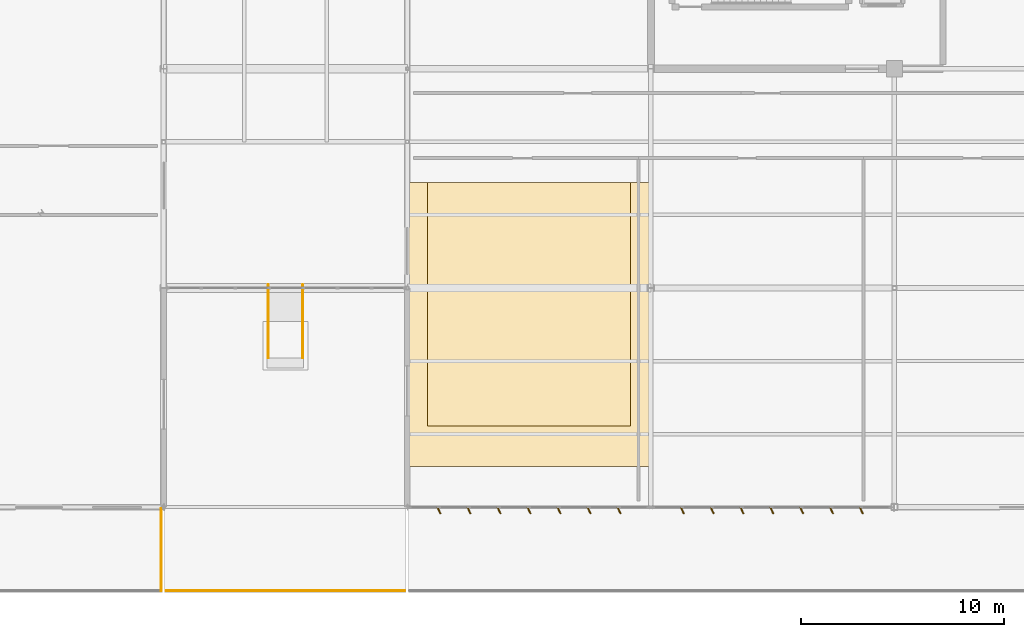
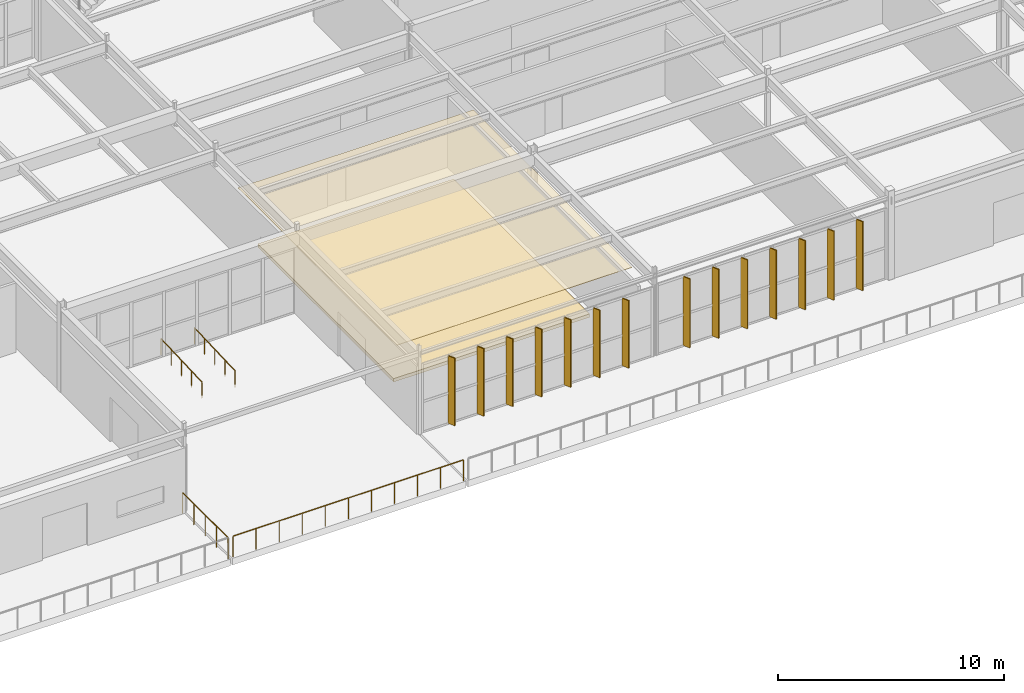
# One storey, part 187 of 199: 14 shading devices, 4 railings, 2 coverings.
"""IFC4 building model written with IfcOpenShell, lengths in metres."""

from ifc_helpers import new_model, si_unit, direction, frame, origin, origin_2d, place, context, subcontext, project, spatial, polyline, rectangle, circle, outline, extrude, material, layer, layer_set, type_object, element, save


model = new_model("IFC4")

# Units and contexts
model_context = context("Model", 3, precision=1e-05, world=origin(), true_north=direction((0.0, 1.0)))
body_context = subcontext(model_context, "Body", "Model", "MODEL_VIEW")
ifc_project = project(units=[si_unit("LENGTHUNIT", "METRE"), si_unit("AREAUNIT", "SQUARE_METRE"), si_unit("VOLUMEUNIT", "CUBIC_METRE"), si_unit("PLANEANGLEUNIT", "RADIAN"), si_unit("MASSUNIT", "GRAM", prefix="KILO")], contexts=[model_context])

# Site, building, storey
site_placement = place(None, origin())
site = spatial("IfcSite", under=ifc_project, at=site_placement, CompositionType="ELEMENT")
building_placement = place(site_placement, origin())
building = spatial("IfcBuilding", under=site, at=building_placement, Name="Tarnwether General Hospital", CompositionType="ELEMENT")
storey_placement = place(building_placement, origin())
storey = spatial("IfcBuildingStorey", under=building, at=storey_placement, Name="L00", CompositionType="ELEMENT", Elevation=0.0)

# Coverings
ifc_material_1 = material(Name="Acoustic mineral fibre tile")
ifc_layer_1 = layer(ifc_material_1, 0.02490234375)
ifc_layer_set_1 = layer_set([ifc_layer_1], Name="Acoustic mineral fibre tile")
covering_type_1 = type_object("IfcCoveringType", Name="CV-CLG-ACT", PredefinedType="CEILING", material=ifc_layer_set_1)
covering_1_placement = place(storey_placement, frame((0.0, 0.0, 3.530029296875)))
element("IfcCovering", 1, at=covering_1_placement, inside=storey, type_object=covering_type_1, Name="Acoustic Clinical Ceiling 02", PredefinedType="CEILING", context=body_context, shape_type="SweptSolid", body=[
    extrude(outline(polyline([(144.0, 2.0), (156.0, 2.0), (156.0, 16.0), (144.0, 16.0), (144.0, 2.0)])), origin(), (0.0, 0.0, 1.0), 0.02490234375),
])
ifc_material_2 = material(Name="Planted green roof media")
ifc_layer_2 = layer(ifc_material_2, 0.179931640625)
ifc_layer_set_2 = layer_set([ifc_layer_2], Name="Planted green roof media")
covering_type_2 = type_object("IfcCoveringType", Name="CV-RFG-GRN", PredefinedType="ROOFING", material=ifc_layer_set_2)
covering_2_placement = place(storey_placement, frame((150.0, 10.0, 0.0), z_axis=(0.0, 0.0, 1.0), x_axis=(1.0, 0.0, 0.0)))
element("IfcCovering", 2, at=covering_2_placement, inside=storey, type_object=covering_type_2, Name="Planted Healing Roof Garden Turf CV-GDN-L00SE", PredefinedType="ROOFING", context=body_context, shape_type="SweptSolid", body=[
    extrude(rectangle(XDim=10.0, YDim=12.0, at=origin_2d()), origin(), (0.0, 0.0, 1.0), 0.179931640625),
])

# Railings
ifc_material_3 = material(Name="Anodised aluminium", Category="aluminium")
railing_type_1 = type_object("IfcRailingType", Name="RL-GRD-EXT", PredefinedType="GUARDRAIL", material=ifc_material_3)
railing_1_placement = place(storey_placement, frame((143.8701171875, -4.1201171875, 0.0)))
element("IfcRailing", 3, at=railing_1_placement, inside=storey, type_object=railing_type_1, Name="L00 Upper Scarp Arrival Plaza and Street Terrace SL-L00-PLAZA-P4 Guard 0008", PredefinedType="GUARDRAIL", context=body_context, shape_type="SweptSolid", body=[
    extrude(circle(Radius=0.02392578125, at=origin_2d()), frame((0.0, 0.0, 1.1259765625), z_axis=(-1.0, 0.0, 0.0), x_axis=(0.0, -1.0, 0.0)), (0.0, 0.0, 1.0), 11.740234375),
    extrude(circle(Radius=0.02099609375, at=origin_2d()), origin(), (0.0, 0.0, 1.0), 1.101806640625),
    extrude(circle(Radius=0.02099609375, at=origin_2d()), frame((-1.174072265625, 0.0, 0.0)), (0.0, 0.0, 1.0), 1.101806640625),
    extrude(circle(Radius=0.02099609375, at=origin_2d()), frame((-2.34814453125, 0.0, 0.0)), (0.0, 0.0, 1.0), 1.101806640625),
    extrude(circle(Radius=0.02099609375, at=origin_2d()), frame((-3.52197265625, 0.0, 0.0)), (0.0, 0.0, 1.0), 1.101806640625),
    extrude(circle(Radius=0.02099609375, at=origin_2d()), frame((-4.696044921875, 0.0, 0.0)), (0.0, 0.0, 1.0), 1.101806640625),
    extrude(circle(Radius=0.02099609375, at=origin_2d()), frame((-5.8701171875, 0.0, 0.0)), (0.0, 0.0, 1.0), 1.101806640625),
    extrude(circle(Radius=0.02099609375, at=origin_2d()), frame((-7.044189453125, 0.0, 0.0)), (0.0, 0.0, 1.0), 1.101806640625),
    extrude(circle(Radius=0.02099609375, at=origin_2d()), frame((-8.21826171875, 0.0, 0.0)), (0.0, 0.0, 1.0), 1.101806640625),
    extrude(circle(Radius=0.02099609375, at=origin_2d()), frame((-9.39208984375, 0.0, 0.0)), (0.0, 0.0, 1.0), 1.101806640625),
    extrude(circle(Radius=0.02099609375, at=origin_2d()), frame((-10.566162109375, 0.0, 0.0)), (0.0, 0.0, 1.0), 1.101806640625),
    extrude(circle(Radius=0.02099609375, at=origin_2d()), frame((-11.740234375, 0.0, 0.0)), (0.0, 0.0, 1.0), 1.101806640625),
])
railing_2_placement = place(storey_placement, frame((131.8701171875, -0.080078125, 0.0)))
element("IfcRailing", 4, at=railing_2_placement, inside=storey, type_object=railing_type_1, Name="L00 Upper Scarp Arrival Plaza and Street Terrace SL-L00-PLAZA-P5 Guard 0010", PredefinedType="GUARDRAIL", context=body_context, shape_type="SweptSolid", body=[
    extrude(circle(Radius=0.02392578125, at=origin_2d()), frame((0.0, 0.0, 1.1259765625), z_axis=(0.0, -1.0, 0.0), x_axis=(1.0, 0.0, 0.0)), (0.0, 0.0, 1.0), 4.0400390625),
    extrude(circle(Radius=0.02099609375, at=origin_2d()), origin(), (0.0, 0.0, 1.0), 1.101806640625),
    extrude(circle(Radius=0.02099609375, at=origin_2d()), frame((0.0, -1.010009765625, 0.0)), (0.0, 0.0, 1.0), 1.101806640625),
    extrude(circle(Radius=0.02099609375, at=origin_2d()), frame((0.0, -2.02001953125, 0.0)), (0.0, 0.0, 1.0), 1.101806640625),
    extrude(circle(Radius=0.02099609375, at=origin_2d()), frame((0.0, -3.030029296875, 0.0)), (0.0, 0.0, 1.0), 1.101806640625),
    extrude(circle(Radius=0.02099609375, at=origin_2d()), frame((0.0, -4.0400390625, 0.0)), (0.0, 0.0, 1.0), 1.101806640625),
])
ifc_material_4 = material(Name="Anodised aluminium", Category="aluminium")
railing_type_2 = type_object("IfcRailingType", Name="RL-HND-INT", PredefinedType="HANDRAIL", material=ifc_material_4)
for number, where, name in (
    (5, (138.85009765625, 7.35009765625, -0.14990234375), "Ramp Handrail RMP-05"),
    (6, (137.14990234375, 7.35009765625, -0.14990234375), "Ramp Handrail RMP-05"),
):
    element("IfcRailing", number, at=place(storey_placement, frame(where)), inside=storey, type_object=railing_type_2, Name=name, PredefinedType="HANDRAIL", context=body_context, shape_type="SweptSolid", body=[
        extrude(circle(Radius=0.02392578125, at=origin_2d()), frame((0.0, 0.0, 0.8759765625), z_axis=(0.0, 0.999134129699, 0.041605178409), x_axis=(-1.0, 0.0, 0.0)), (0.0, 0.0, 1.0), 3.60302734375),
        extrude(circle(Radius=0.02099609375, at=origin_2d()), origin(), (0.0, 0.0, 1.0), 0.851806640625),
        extrude(circle(Radius=0.02099609375, at=origin_2d()), frame((0.0, 0.89990234375, 0.03759765625)), (0.0, 0.0, 1.0), 0.851806640625),
        extrude(circle(Radius=0.02099609375, at=origin_2d()), frame((0.0, 1.7998046875, 0.074951171875)), (0.0, 0.0, 1.0), 0.851806640625),
        extrude(circle(Radius=0.02099609375, at=origin_2d()), frame((0.0, 2.699951171875, 0.1123046875)), (0.0, 0.0, 1.0), 0.851806640625),
        extrude(circle(Radius=0.02099609375, at=origin_2d()), frame((0.0, 3.599853515625, 0.14990234375)), (0.0, 0.0, 1.0), 0.851806640625),
    ])

# Shading devices
ifc_material_5 = material(Name="Champagne-bronze anodised aluminium", Category="aluminium")
ifc_layer_3 = layer(ifc_material_5, 0.06005859375)
ifc_layer_set_3 = layer_set([ifc_layer_3], Name="Champagne-bronze anodised aluminium")
shading_device_type = type_object("IfcShadingDeviceType", Name="SH-FIN-BRZ", PredefinedType="USERDEFINED", material=ifc_layer_set_3)
for number, where, z_axis, x_axis, name in (
    (7, (166.3720703125, -0.159912109375, 0.0498046875), (0.0, 0.0, 1.0), (-0.906307787037, -0.422618261741, 0.0), "Champagne-Bronze Brise-Soleil Fin 0075"),
    (8, (164.903076171875, -0.159912109375, 0.0498046875), (0.0, 0.0, 1.0), (-0.906307787037, -0.422618261741, 0.0), "Champagne-Bronze Brise-Soleil Fin 0076"),
    (9, (163.43310546875, -0.159912109375, 0.0498046875), (0.0, 0.0, 1.0), (-0.906307787037, -0.422618261741, 0.0), "Champagne-Bronze Brise-Soleil Fin 0077"),
    (10, (161.962890625, -0.159912109375, 0.0498046875), (0.0, 0.0, 1.0), (-0.906307787037, -0.422618261741, 0.0), "Champagne-Bronze Brise-Soleil Fin 0078"),
    (11, (160.492919921875, -0.159912109375, 0.0498046875), (0.0, 0.0, 1.0), (-0.906307787037, -0.422618261741, 0.0), "Champagne-Bronze Brise-Soleil Fin 0079"),
    (12, (159.02392578125, -0.159912109375, 0.0498046875), (0.0, 0.0, 1.0), (-0.906307787037, -0.422618261741, 0.0), "Champagne-Bronze Brise-Soleil Fin 0080"),
    (13, (157.553955078125, -0.159912109375, 0.0498046875), (0.0, 0.0, 1.0), (-0.906307787037, -0.422618261741, 0.0), "Champagne-Bronze Brise-Soleil Fin 0081"),
):
    element("IfcShadingDevice", number, at=place(storey_placement, frame(where, z_axis=z_axis, x_axis=x_axis)), inside=storey, type_object=shading_device_type, Name=name, ObjectType="SOLAR FIN", PredefinedType="USERDEFINED", context=body_context, shape_type="SweptSolid", body=[
        extrude(rectangle(XDim=0.06005859375, YDim=0.360107421875, at=origin_2d()), origin(), (0.0, 0.0, 1.0), 3.718017578125),
    ])
for number, where, z_axis, x_axis, name in (
    (14, (154.43701171875, -0.159912109375, 0.0498046875), (0.0, 0.0, 1.0), (-0.906307787037, -0.422618261741, 0.0), "Champagne-Bronze Brise-Soleil Fin 0082"),
    (15, (152.9580078125, -0.159912109375, 0.0498046875), (0.0, 0.0, 1.0), (-0.906307787037, -0.422618261741, 0.0), "Champagne-Bronze Brise-Soleil Fin 0083"),
    (16, (151.47900390625, -0.159912109375, 0.0498046875), (0.0, 0.0, 1.0), (-0.906307787037, -0.422618261741, 0.0), "Champagne-Bronze Brise-Soleil Fin 0084"),
    (17, (150.0, -0.159912109375, 0.0498046875), (0.0, 0.0, 1.0), (-0.906307787037, -0.422618261741, 0.0), "Champagne-Bronze Brise-Soleil Fin 0085"),
    (18, (148.52099609375, -0.159912109375, 0.0498046875), (0.0, 0.0, 1.0), (-0.906307787037, -0.422618261741, 0.0), "Champagne-Bronze Brise-Soleil Fin 0086"),
    (19, (147.0419921875, -0.159912109375, 0.0498046875), (0.0, 0.0, 1.0), (-0.906307787037, -0.422618261741, 0.0), "Champagne-Bronze Brise-Soleil Fin 0087"),
    (20, (145.56298828125, -0.159912109375, 0.0498046875), (0.0, 0.0, 1.0), (-0.906307787037, -0.422618261741, 0.0), "Champagne-Bronze Brise-Soleil Fin 0088"),
):
    element("IfcShadingDevice", number, at=place(storey_placement, frame(where, z_axis=z_axis, x_axis=x_axis)), inside=storey, type_object=shading_device_type, Name=name, ObjectType="SOLAR FIN", PredefinedType="USERDEFINED", context=body_context, shape_type="SweptSolid", body=[
        extrude(rectangle(XDim=0.06005859375, YDim=0.360107421875, at=origin_2d()), origin(), (0.0, 0.0, 1.0), 3.637939453125),
    ])

save(model, "model.ifc")
